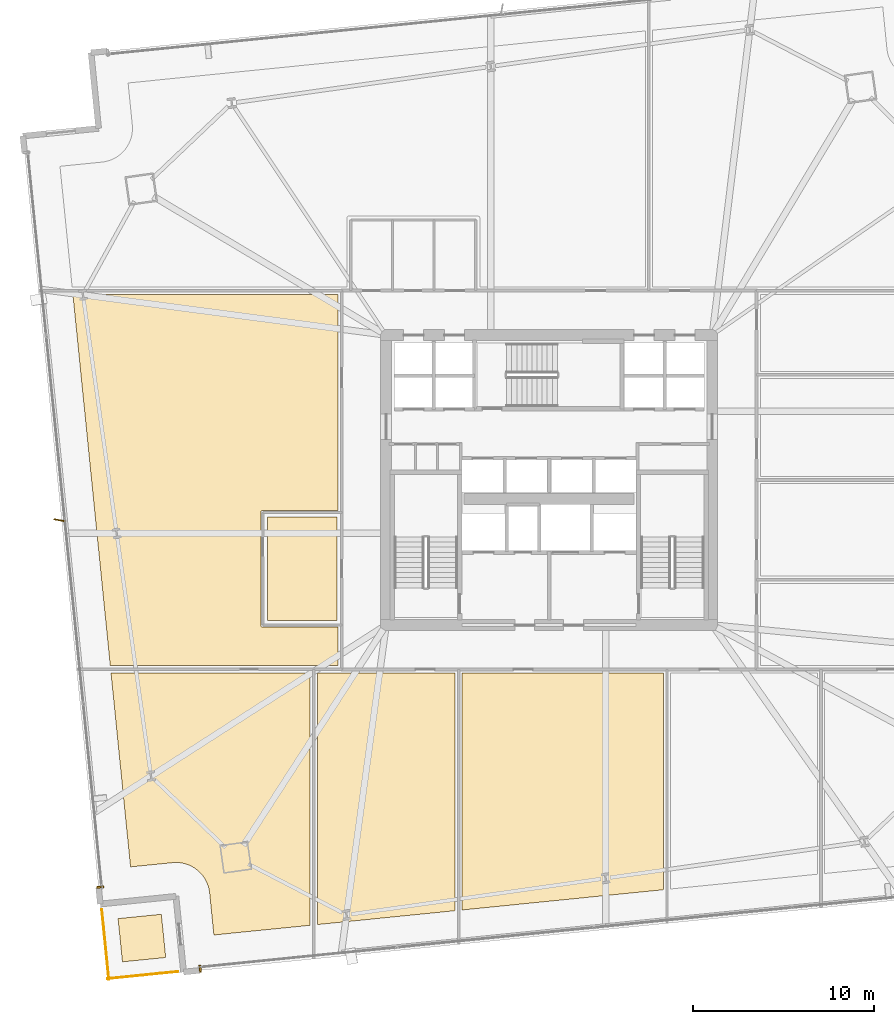
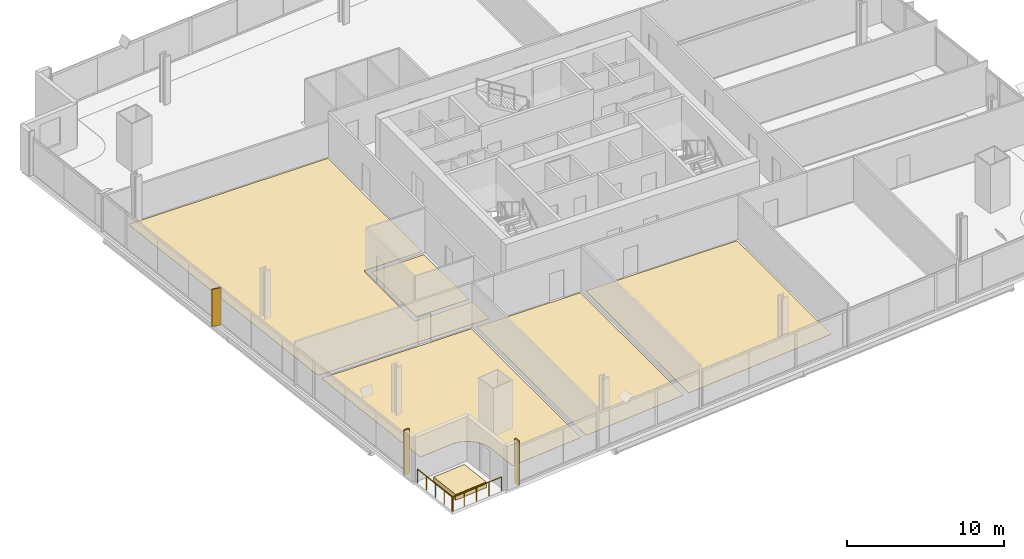
# One storey, part 29 of 33: 8 coverings, 2 railings, 1 shading device.
"""IFC4 building model written with IfcOpenShell, lengths in metres."""

from ifc_helpers import new_model, si_unit, direction, frame, origin, origin_2d, place, context, subcontext, project, spatial, polyline, rectangle, outline, extrude, source, transform, mapped, material, layer, layer_set, type_object, element, save


model = new_model("IFC4")

# Units and contexts
model_context = context("Model", 3, precision=1e-05, world=origin(), true_north=direction((0.0, 1.0)))
body_context = subcontext(model_context, "Body", "Model", "MODEL_VIEW")
ifc_project = project(units=[si_unit("LENGTHUNIT", "METRE"), si_unit("AREAUNIT", "SQUARE_METRE"), si_unit("VOLUMEUNIT", "CUBIC_METRE"), si_unit("PLANEANGLEUNIT", "RADIAN"), si_unit("MASSUNIT", "GRAM", prefix="KILO")], contexts=[model_context])

# Site, building, storey
site_placement = place(None, origin())
site = spatial("IfcSite", under=ifc_project, at=site_placement, CompositionType="ELEMENT")
building_placement = place(site_placement, origin())
building = spatial("IfcBuilding", under=site, at=building_placement, Name="Haldenkirk Collegiate Tower", CompositionType="ELEMENT")
storey_placement = place(building_placement, frame((0.0, 0.0, 47.699951171875)))
storey = spatial("IfcBuildingStorey", under=building, at=storey_placement, Name="L10", CompositionType="ELEMENT", Elevation=47.699951171875)

# Coverings
ifc_material_1 = material(Name="Polished collegiate terrazzo", Category="concrete")
ifc_layer_1 = layer(ifc_material_1, 0.02490234375)
ifc_layer_set_1 = layer_set([ifc_layer_1], Name="Polished collegiate terrazzo")
covering_type_1 = type_object("IfcCoveringType", Name="COV-FLOOR-TERRAZZO", PredefinedType="FLOORING", material=ifc_layer_set_1)
covering_1_placement = place(storey_placement, origin())
element("IfcCovering", 1, at=covering_1_placement, inside=storey, type_object=covering_type_1, Name="L10 academic room finish 02", PredefinedType="FLOORING", context=body_context, shape_type="SweptSolid", body=[
    extrude(outline(polyline([(16.954345703125, 4.057861328125), (16.94775390625, 4.0673828125), (16.84521484375, 4.205078125), (16.837646484375, 4.21435546875), (16.721923828125, 4.34130859375), (16.713623046875, 4.349609375), (16.586181640625, 4.464599609375), (16.5771484375, 4.47216796875), (16.43896484375, 4.57421875), (16.42919921875, 4.580810546875), (16.28173828125, 4.668701171875), (16.271240234375, 4.67431640625), (16.11572265625, 4.747314453125), (16.10498046875, 4.751708984375), (15.943115234375, 4.809326171875), (15.931884765625, 4.812744140625), (15.76513671875, 4.85400390625), (15.753662109375, 4.856201171875), (15.58349609375, 4.881103515625), (15.572021484375, 4.882080078125), (15.400390625, 4.890380859375), (15.388671875, 4.89013671875), (15.21728515625, 4.88134765625), (15.211181640625, 4.881103515625), (12.89306640625, 4.6474609375), (11.8154296875, 15.35009765625), (22.800048828125, 15.35009765625), (22.800048828125, 1.423828125), (17.49267578125, 0.889404296875), (17.25927734375, 3.207763671875), (17.258544921875, 3.213623046875), (17.23291015625, 3.383544921875), (17.23046875, 3.39501953125), (17.1884765625, 3.5615234375), (17.18505859375, 3.57275390625), (17.126708984375, 3.734375), (17.122314453125, 3.7451171875), (17.048583984375, 3.900146484375), (17.04296875, 3.91064453125), (16.954345703125, 4.057861328125)])), origin(), (0.0, 0.0, 1.0), 0.025146484375),
])
covering_2_placement = place(storey_placement, origin())
element("IfcCovering", 2, at=covering_2_placement, inside=storey, type_object=covering_type_1, Name="L10 academic room finish 04", PredefinedType="FLOORING", context=body_context, shape_type="SweptSolid", body=[
    extrude(outline(polyline([(31.199951171875, 2.269775390625), (31.199951171875, 15.35009765625), (42.300048828125, 15.35009765625), (42.300048828125, 3.387451171875), (31.199951171875, 2.269775390625)])), origin(), (0.0, 0.0, 1.0), 0.025146484375),
])
ifc_material_2 = material(Name="Engineered collegiate oak acoustic flooring", Category="wood")
ifc_layer_2 = layer(ifc_material_2, 0.02197265625)
ifc_layer_set_2 = layer_set([ifc_layer_2], Name="Engineered collegiate oak acoustic flooring")
covering_type_2 = type_object("IfcCoveringType", Name="COV-FLOOR-TIMBER", PredefinedType="FLOORING", material=ifc_layer_set_2)
covering_3_placement = place(storey_placement, origin())
element("IfcCovering", 3, at=covering_3_placement, inside=storey, type_object=covering_type_2, Name="L10 academic room finish 01", PredefinedType="FLOORING", context=body_context, shape_type="SweptSolid", body=[
    extrude(outline(polyline([(20.43994140625, 18.239990234375), (20.43994140625, 23.9599609375), (24.300048828125, 23.9599609375), (24.300048828125, 18.239990234375), (20.43994140625, 18.239990234375)])), origin(), (0.0, 0.0, 1.0), 0.02197265625),
])
covering_4_placement = place(storey_placement, origin())
element("IfcCovering", 4, at=covering_4_placement, inside=storey, type_object=covering_type_2, Name="L10 academic room finish 03", PredefinedType="FLOORING", context=body_context, shape_type="SweptSolid", body=[
    extrude(outline(polyline([(23.199951171875, 1.464111328125), (23.199951171875, 15.35009765625), (30.800048828125, 15.35009765625), (30.800048828125, 2.2294921875), (23.199951171875, 1.464111328125)])), origin(), (0.0, 0.0, 1.0), 0.02197265625),
])
covering_5_placement = place(storey_placement, origin())
element("IfcCovering", 5, at=covering_5_placement, inside=storey, type_object=covering_type_2, Name="L10 academic room finish 09", PredefinedType="FLOORING", context=body_context, shape_type="SweptSolid", body=[
    extrude(outline(polyline([(20.199951171875, 24.320068359375), (20.188232421875, 24.3193359375), (20.176513671875, 24.317626953125), (20.165283203125, 24.314697265625), (20.154052734375, 24.310791015625), (20.143310546875, 24.305908203125), (20.13330078125, 24.2998046875), (20.123779296875, 24.292724609375), (20.114990234375, 24.284912109375), (20.107177734375, 24.276123046875), (20.10009765625, 24.2666015625), (20.09423828125, 24.256591796875), (20.089111328125, 24.245849609375), (20.085205078125, 24.23486328125), (20.082275390625, 24.223388671875), (20.08056640625, 24.2119140625), (20.080078125, 24.199951171875), (20.080078125, 18.0), (20.08056640625, 17.98828125), (20.082275390625, 17.9765625), (20.085205078125, 17.965087890625), (20.089111328125, 17.9541015625), (20.09423828125, 17.943359375), (20.10009765625, 17.933349609375), (20.107177734375, 17.923828125), (20.114990234375, 17.9150390625), (20.123779296875, 17.9072265625), (20.13330078125, 17.900146484375), (20.143310546875, 17.894287109375), (20.154052734375, 17.88916015625), (20.165283203125, 17.88525390625), (20.176513671875, 17.88232421875), (20.188232421875, 17.880615234375), (20.199951171875, 17.8798828125), (24.35009765625, 17.8798828125), (24.35009765625, 15.75), (11.775146484375, 15.75), (9.7109375, 36.25), (24.35009765625, 36.25), (24.35009765625, 24.320068359375), (20.199951171875, 24.320068359375)])), origin(), (0.0, 0.0, 1.0), 0.02197265625),
])
ifc_material_3 = material(Name="Precast concrete f'c 40 MPa", Category="concrete")
ifc_layer_3 = layer(ifc_material_3, 0.449951171875)
ifc_layer_set_3 = layer_set([ifc_layer_3], Name="Precast concrete f'c 40 MPa")
covering_type_3 = type_object("IfcCoveringType", Name="COV-PLANTER-450", PredefinedType="USERDEFINED", material=ifc_layer_set_3)
covering_6_placement = place(storey_placement, origin())
element("IfcCovering", 6, at=covering_6_placement, inside=storey, type_object=covering_type_3, Name="L10 planted garden planter bed", ObjectType="PLANTER", PredefinedType="USERDEFINED", context=body_context, shape_type="SweptSolid", body=[
    extrude(outline(polyline([(12.44580078125, -0.59375), (12.205322265625, 1.794189453125), (14.59326171875, 2.034912109375), (14.833740234375, -0.353271484375), (12.44580078125, -0.59375)])), origin(), (0.0, 0.0, 1.0), 0.449951171875),
])

# Railings
ifc_material_4 = material(Name="Anodised architectural bronze aluminium", Category="aluminium")
railing_type = type_object("IfcRailingType", Name="RLG-TERR-BALUSTRADE-1100", PredefinedType="BALUSTRADE", material=ifc_material_4)
railing_1_placement = place(storey_placement, frame((11.634521484375, -1.51953125, 0.0)))
element("IfcRailing", 7, at=railing_1_placement, inside=storey, type_object=railing_type, Name="L10 terrace guard balustrade 1-1", PredefinedType="BALUSTRADE", context=body_context, shape_type="SweptSolid", body=[
    extrude(rectangle(XDim=0.048095703125, YDim=0.048095703125, at=origin_2d()), frame((0.0, 0.0, 1.076171875), z_axis=(0.994970308014, 0.100170285863, 0.0), x_axis=(-0.100170285863, 0.994970308014, 0.0)), (0.0, 0.0, 1.0), 3.880126953125),
    extrude(rectangle(XDim=0.0419921875, YDim=0.0419921875, at=origin_2d()), origin(), (0.0, 0.0, 1.0), 1.052001953125),
    extrude(rectangle(XDim=0.0419921875, YDim=0.0419921875, at=origin_2d()), frame((0.965087890625, 0.09716796875, 0.0)), (0.0, 0.0, 1.0), 1.052001953125),
    extrude(rectangle(XDim=0.0419921875, YDim=0.0419921875, at=origin_2d()), frame((1.93017578125, 0.1943359375, 0.0)), (0.0, 0.0, 1.0), 1.052001953125),
    extrude(rectangle(XDim=0.0419921875, YDim=0.0419921875, at=origin_2d()), frame((2.8955078125, 0.29150390625, 0.0)), (0.0, 0.0, 1.0), 1.052001953125),
    extrude(rectangle(XDim=0.0419921875, YDim=0.0419921875, at=origin_2d()), frame((3.860595703125, 0.388671875, 0.0)), (0.0, 0.0, 1.0), 1.052001953125),
])
railing_2_placement = place(storey_placement, frame((11.3115234375, 2.287109375, 0.0)))
element("IfcRailing", 8, at=railing_2_placement, inside=storey, type_object=railing_type, Name="L10 terrace guard balustrade 4-1", PredefinedType="BALUSTRADE", context=body_context, shape_type="SweptSolid", body=[
    extrude(rectangle(XDim=0.048095703125, YDim=0.048095703125, at=origin_2d()), frame((0.0, 0.0, 1.076171875), z_axis=(0.100176557371, -0.9949696766, 0.0), x_axis=(0.9949696766, 0.100176557371, 0.0)), (0.0, 0.0, 1.0), 3.8798828125),
    extrude(rectangle(XDim=0.0419921875, YDim=0.0419921875, at=origin_2d()), origin(), (0.0, 0.0, 1.0), 1.052001953125),
    extrude(rectangle(XDim=0.0419921875, YDim=0.0419921875, at=origin_2d()), frame((0.09716796875, -0.965087890625, 0.0)), (0.0, 0.0, 1.0), 1.052001953125),
    extrude(rectangle(XDim=0.0419921875, YDim=0.0419921875, at=origin_2d()), frame((0.1943359375, -1.93017578125, 0.0)), (0.0, 0.0, 1.0), 1.052001953125),
    extrude(rectangle(XDim=0.0419921875, YDim=0.0419921875, at=origin_2d()), frame((0.29150390625, -2.895263671875, 0.0)), (0.0, 0.0, 1.0), 1.052001953125),
    extrude(rectangle(XDim=0.0419921875, YDim=0.0419921875, at=origin_2d()), frame((0.388671875, -3.8603515625, 0.0)), (0.0, 0.0, 1.0), 1.052001953125),
])

# Coverings
ifc_layer_4 = layer(ifc_material_4, 0.06005859375)
ifc_layer_set_4 = layer_set([ifc_layer_4], Name="Anodised architectural bronze aluminium")
covering_type_4 = type_object("IfcCoveringType", Name="COV-CLAD-BRONZE-60", PredefinedType="CLADDING", material=ifc_layer_set_4)
shared_shape_1 = source(origin(), body_context, "Body", "SweptSolid", [
    extrude(rectangle(XDim=0.10009765625, YDim=0.3798828125, at=origin_2d()), origin(), (0.0, 0.0, 1.0), 3.43994140625),
])
for number, where, z_axis, x_axis, name in (
    (9, (16.735595703125, -0.9755859375, 0.0), (0.0, 0.0, 1.0), (-0.994968518251, -0.100188061612, 0.0), "L10 recessed curtain-wall bronze jamb closure SJR"),
    (10, (11.216064453125, 3.533935546875, 0.0), (0.0, 0.0, 1.0), (-0.100188061612, 0.994968518251, 0.0), "L10 recessed curtain-wall bronze jamb closure WJL"),
):
    element("IfcCovering", number, at=place(storey_placement, frame(where, z_axis=z_axis, x_axis=x_axis)), inside=storey, type_object=covering_type_4, Name=name, PredefinedType="CLADDING", context=body_context, shape_type="MappedRepresentation", body=[
        mapped(shared_shape_1, transform((0.0, 0.0, 0.0), x_axis=(1.0, 0.0, 0.0), y_axis=(0.0, 1.0, 0.0), z_axis=(0.0, 0.0, 1.0), scale=1.0)),
    ])

# Shading device
ifc_layer_5 = layer(ifc_material_4, 0.06494140625)
ifc_layer_set_5 = layer_set([ifc_layer_5], Name="Anodised architectural bronze aluminium")
shading_device_type = type_object("IfcShadingDeviceType", Name="SHD-FIN-BRONZE-620", PredefinedType="USERDEFINED", material=ifc_layer_set_5)
shared_shape_2 = source(origin(), body_context, "Body", "SweptSolid", [
    extrude(rectangle(XDim=0.6201171875, YDim=0.06494140625, at=origin_2d()), origin(), (0.0, 0.0, 1.0), 2.89111328125),
])
shading_device_placement = place(storey_placement, frame((8.971435546875, 23.78076171875, 0.0), z_axis=(0.0, 0.0, 1.0), x_axis=(-0.984040697646, 0.177943545474, 0.0)))
element("IfcShadingDevice", 11, at=shading_device_placement, inside=storey, type_object=shading_device_type, Name="L10 folded bronze solar fin 1", ObjectType="FIN", PredefinedType="USERDEFINED", context=body_context, shape_type="MappedRepresentation", body=[
    mapped(shared_shape_2, transform((0.0, 0.0, 0.0), x_axis=(1.0, 0.0, 0.0), y_axis=(0.0, 1.0, 0.0), z_axis=(0.0, 0.0, 1.0), scale=1.0)),
])

save(model, "model.ifc")
